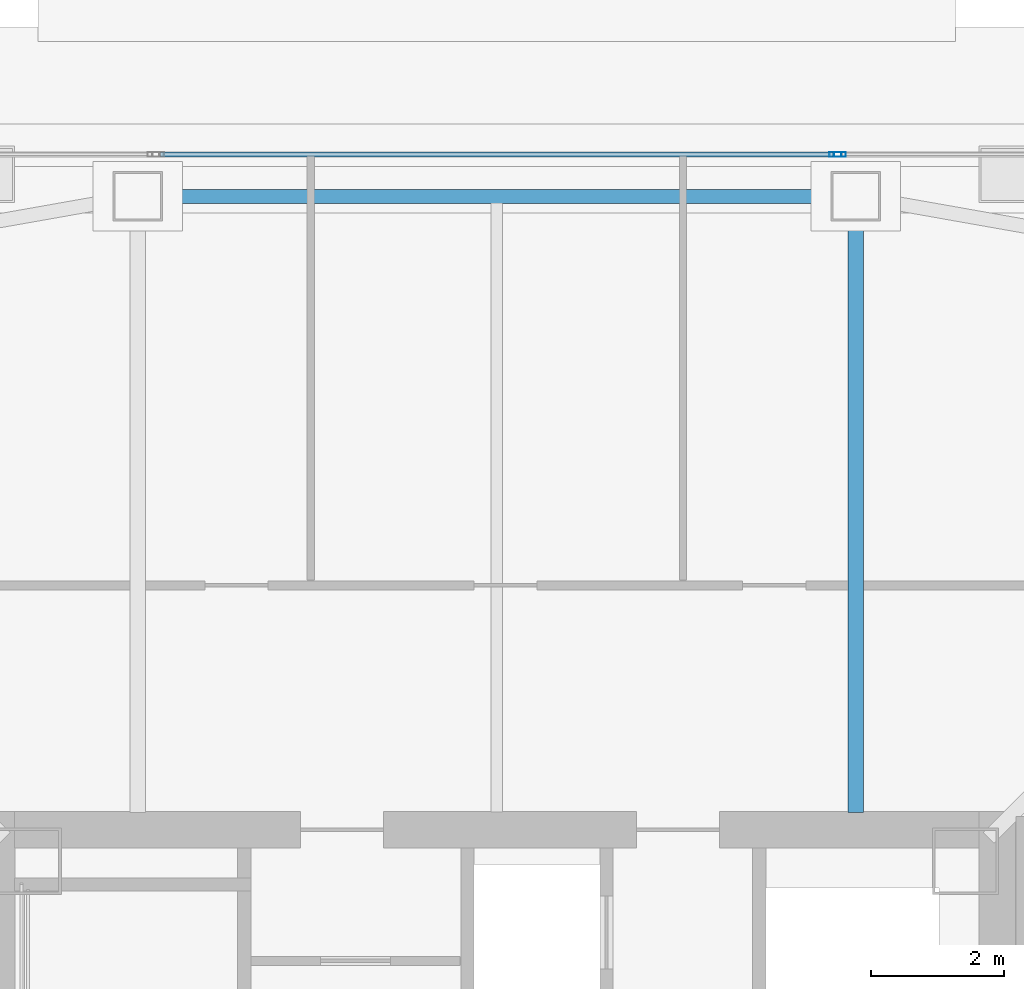
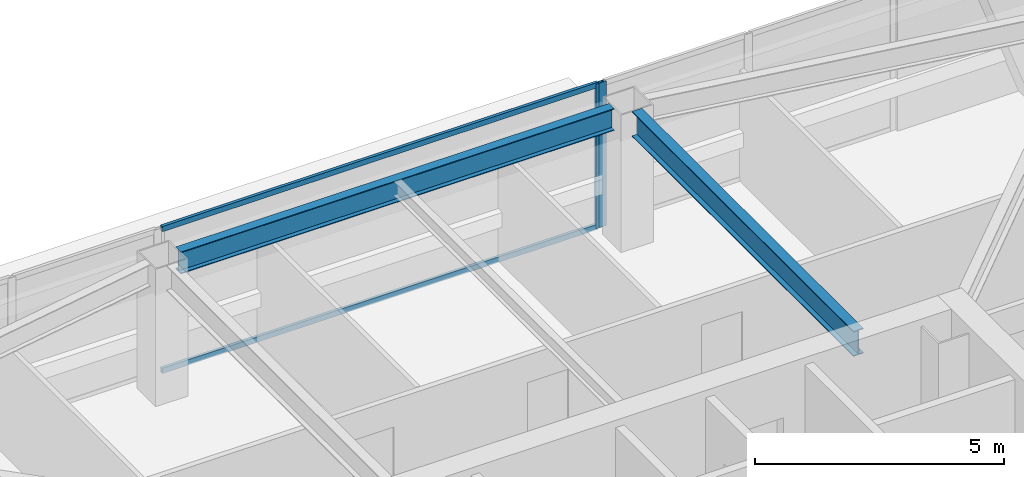
# One storey, part 21 of 65: 4 members, 2 beams, 2 elements without a shape of their own.
"""IFC4 building model written with IfcOpenShell, lengths in metres."""

from ifc_helpers import new_model, si_unit, direction, frame, origin, origin_2d, place, context, subcontext, project, spatial, hollow_rectangle, i_section, extrude, material, material_profile, profile_set, type_object, element, aggregate, save


model = new_model("IFC4")

# Units and contexts
model_context = context("Model", 3, precision=1e-05, world=origin(), true_north=direction((0.0, 1.0)))
body_context = subcontext(model_context, "Body", "Model", "MODEL_VIEW")
ifc_project = project(units=[si_unit("LENGTHUNIT", "METRE"), si_unit("AREAUNIT", "SQUARE_METRE"), si_unit("VOLUMEUNIT", "CUBIC_METRE"), si_unit("PLANEANGLEUNIT", "RADIAN"), si_unit("MASSUNIT", "GRAM", prefix="KILO")], contexts=[model_context])

# Site, building, storey
site_placement = place(None, origin())
site = spatial("IfcSite", under=ifc_project, at=site_placement, CompositionType="ELEMENT")
building_placement = place(site_placement, origin())
building = spatial("IfcBuilding", under=site, at=building_placement, Name="Tashvorn Skyway Center", CompositionType="ELEMENT")
storey_placement = place(building_placement, frame((0.0, 0.0, 157.0)))
storey = spatial("IfcBuildingStorey", under=building, at=storey_placement, Name="L42", CompositionType="ELEMENT", Elevation=157.0)

# Beams
ifc_material_1 = material(Name="Steel ASTM A992 Grade 50", Category="steel")
ifc_material_profile_1 = material_profile(ifc_material_1, i_section(OverallWidth=0.22998046875, OverallDepth=0.616943359375, WebThickness=0.01318359375, FlangeThickness=0.022216796875, at=origin_2d()), Name="W24X94")
ifc_profile_set_1 = profile_set([ifc_material_profile_1], Name="Steel ASTM A992 Grade 50")
beam_type_1 = type_object("IfcBeamType", Name="BM-BEAM-W24X94", PredefinedType="BEAM", material=ifc_profile_set_1)
beam_1_placement = place(storey_placement, frame((47.39990234375, 48.679931640625, 3.0615234375), z_axis=(0.0, -1.0, 0.0), x_axis=(1.0, 0.0, 0.0)))
element("IfcBeam", 1, at=beam_1_placement, inside=storey, type_object=beam_type_1, Name="Tower 1 L42 Primary Floor Girder FC-N1", PredefinedType="BEAM", context=body_context, shape_type="SweptSolid", body=[
    extrude(i_section(OverallWidth=0.22998046875, OverallDepth=0.616943359375, WebThickness=0.01318359375, FlangeThickness=0.022216796875, at=origin_2d()), origin(), (0.0, 0.0, 1.0), 8.89990234375),
])
ifc_material_profile_2 = material_profile(ifc_material_1, i_section(OverallWidth=0.2109375, OverallDepth=0.5390625, WebThickness=0.01171875, FlangeThickness=0.018798828125, at=origin_2d()), Name="W21X73")
ifc_profile_set_2 = profile_set([ifc_material_profile_2], Name="Steel ASTM A992 Grade 50")
beam_type_2 = type_object("IfcBeamType", Name="BM-SPANDREL-W21X73", PredefinedType="SPANDREL", material=ifc_profile_set_2)
beam_2_placement = place(storey_placement, frame((47.030029296875, 49.050048828125, 3.1005859375), z_axis=(-1.0, 0.0, 0.0), x_axis=(0.0, -1.0, 0.0)))
element("IfcBeam", 2, at=beam_2_placement, inside=storey, type_object=beam_type_2, Name="Tower 1 L42 Spandrel Beam 08", PredefinedType="SPANDREL", context=body_context, shape_type="SweptSolid", body=[
    extrude(i_section(OverallWidth=0.2109375, OverallDepth=0.5390625, WebThickness=0.01171875, FlangeThickness=0.018798828125, at=origin_2d()), origin(), (0.0, 0.0, 1.0), 10.06005859375),
])

# Curtain wall, member
ifc_material_2 = material(Name="Thermally broken bronze-anodized aluminium 6063-T6", Category="aluminium")
curtain_wall_type = type_object("IfcCurtainWallType", Name="CW-CW-Z4", PredefinedType="NOTDEFINED", material=ifc_material_2)
curtain_wall_1_placement = place(storey_placement, origin())
curtain_wall_1 = element("IfcCurtainWall", 3, at=curtain_wall_1_placement, inside=storey, type_object=curtain_wall_type, Name="Tower 1 L42 North Unitised Curtain Wall Glazing Group 2", PredefinedType="NOTDEFINED")
ifc_material_profile_3 = material_profile(ifc_material_2, hollow_rectangle(XDim=0.070068359375, YDim=0.179931640625, WallThickness=0.00390625, at=origin_2d()), Name="ALU-MULL-70x180")
ifc_profile_set_3 = profile_set([ifc_material_profile_3], Name="Thermally broken bronze-anodized aluminium 6063-T6")
member_type_1 = type_object("IfcMemberType", Name="CWM-CW-Z4", PredefinedType="MULLION", material=ifc_profile_set_3)
member_1_placement = place(storey_placement, frame((47.091796875, 49.679931640625, 0.0), z_axis=(0.0, 0.0, 1.0), x_axis=(0.0, 1.0, 0.0)))
member_1 = element("IfcMember", 4, at=member_1_placement, type_object=member_type_1, Name="CW-Z4 mullion 2", PredefinedType="MULLION", context=body_context, shape_type="SweptSolid", body=[
    extrude(hollow_rectangle(XDim=0.070068359375, YDim=0.179931640625, WallThickness=0.00390625, at=origin_2d()), origin(), (0.0, 0.0, 1.0), 3.550048828125),
])

curtain_wall_2_placement = place(storey_placement, origin())
curtain_wall_2 = element("IfcCurtainWall", 5, at=curtain_wall_2_placement, inside=storey, type_object=curtain_wall_type, Name="Tower 1 L42 North Unitised Curtain Wall Glazing Group 3", PredefinedType="NOTDEFINED")
member_2_placement = place(storey_placement, frame((47.16162109375, 49.679931640625, 0.0), z_axis=(0.0, 0.0, 1.0), x_axis=(0.0, 1.0, 0.0)))
member_2 = element("IfcMember", 6, at=member_2_placement, type_object=member_type_1, Name="CW-Z4 mullion 1", PredefinedType="MULLION", context=body_context, shape_type="SweptSolid", body=[
    extrude(hollow_rectangle(XDim=0.070068359375, YDim=0.179931640625, WallThickness=0.00390625, at=origin_2d()), origin(), (0.0, 0.0, 1.0), 3.550048828125),
])
aggregate(curtain_wall_2, [member_2])

# Member
ifc_material_profile_4 = material_profile(ifc_material_2, hollow_rectangle(XDim=0.070068359375, YDim=0.1298828125, WallThickness=0.00390625, at=origin_2d()), Name="ALU-TRAN-70x130")
ifc_profile_set_4 = profile_set([ifc_material_profile_4], Name="Thermally broken bronze-anodized aluminium 6063-T6")
member_type_2 = type_object("IfcMemberType", Name="CWT-CW-Z4", PredefinedType="USERDEFINED", material=ifc_profile_set_4)
member_3_placement = place(storey_placement, frame((36.943359375, 49.679931640625, 0.034912109375), z_axis=(1.0, 0.0, 0.0), x_axis=(0.0, 1.0, 0.0)))
member_3 = element("IfcMember", 7, at=member_3_placement, type_object=member_type_2, Name="CW-Z4 transom 1.1", ObjectType="TRANSOM", PredefinedType="USERDEFINED", context=body_context, shape_type="SweptSolid", body=[
    extrude(hollow_rectangle(XDim=0.070068359375, YDim=0.1298828125, WallThickness=0.00390625, at=origin_2d()), origin(), (0.0, 0.0, 1.0), 10.11328125),
])

member_4_placement = place(storey_placement, frame((36.943359375, 49.679931640625, 3.514892578125), z_axis=(1.0, 0.0, 0.0), x_axis=(0.0, 1.0, 0.0)))
member_4 = element("IfcMember", 8, at=member_4_placement, type_object=member_type_2, Name="CW-Z4 transom 1.2", ObjectType="TRANSOM", PredefinedType="USERDEFINED", context=body_context, shape_type="SweptSolid", body=[
    extrude(hollow_rectangle(XDim=0.070068359375, YDim=0.1298828125, WallThickness=0.00390625, at=origin_2d()), origin(), (0.0, 0.0, 1.0), 10.11328125),
])

aggregate(curtain_wall_1, [member_1, member_3, member_4])

save(model, "model.ifc")
